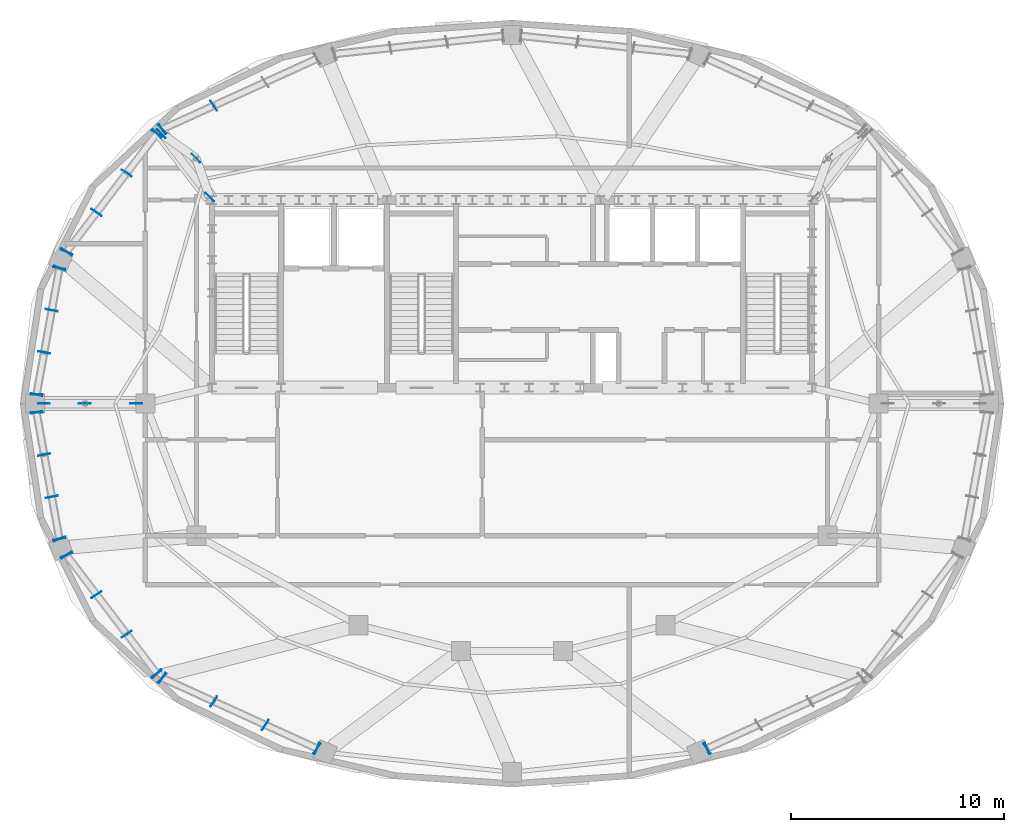
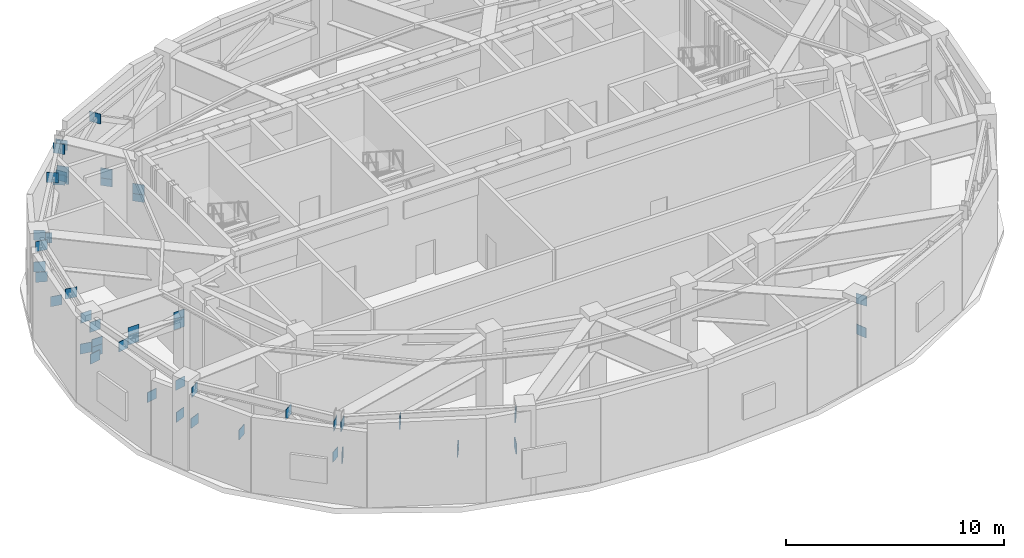
# One storey, part 7 of 15: 47 plates.
"""IFC4 building model written with IfcOpenShell, lengths in metres."""

from ifc_helpers import new_model, si_unit, direction, frame, origin, origin_2d, place, context, subcontext, project, spatial, rectangle, extrude, material, layer, layer_set, type_object, element, save


model = new_model("IFC4")

# Units and contexts
model_context = context("Model", 3, precision=1e-05, world=origin(), true_north=direction((0.0, 1.0)))
body_context = subcontext(model_context, "Body", "Model", "MODEL_VIEW")
ifc_project = project(units=[si_unit("LENGTHUNIT", "METRE"), si_unit("AREAUNIT", "SQUARE_METRE"), si_unit("VOLUMEUNIT", "CUBIC_METRE"), si_unit("PLANEANGLEUNIT", "RADIAN"), si_unit("MASSUNIT", "GRAM", prefix="KILO")], contexts=[model_context])

# Site, building, storey
site_placement = place(None, origin())
site = spatial("IfcSite", under=ifc_project, at=site_placement, CompositionType="ELEMENT")
building_placement = place(site_placement, origin())
building = spatial("IfcBuilding", under=site, at=building_placement, Name="Haldorwick Loom Tower", CompositionType="ELEMENT")
storey_placement = place(building_placement, frame((0.0, 0.0, 286.5)))
storey = spatial("IfcBuildingStorey", under=building, at=storey_placement, Name="L77", CompositionType="ELEMENT", Elevation=286.5)

# Plates
ifc_material = material(Name="Steel CSA G40.21 350W", Category="steel")
ifc_layer = layer(ifc_material, 0.028076171875, Name="Steel CSA G40.21 350W", Category="steel")
ifc_layer_set = layer_set([ifc_layer], Name="Steel CSA G40.21 350W")
plate_type = type_object("IfcPlateType", Name="STR-PLT-GUS28", PredefinedType="SHEET", material=ifc_layer_set)
for number, where, z_axis, x_axis, name in (
    (1, (22.013916015625, 39.974365234375, 3.973876953125), (0.0, 0.0, 1.0), (-0.55557023302, 0.831469612303, 0.0), "L77 Truss Node Gusset Plate PLT-L77-BGUS-05-1B"),
    (2, (19.59619140625, 38.873046875, 2.219970703125), (0.0, 0.0, 1.0), (-0.55557023302, 0.831469612303, 0.0), "L77 Truss Node Gusset Plate PLT-L77-BGUS-05-2B"),
    (3, (19.59619140625, 38.873046875, 3.973876953125), (0.0, 0.0, 1.0), (-0.707106781187, 0.707106781187, 0.0), "L77 Truss Node Gusset Plate PLT-L77-BGUS-05D"),
    (4, (19.336181640625, 38.66552734375, 2.219970703125), (0.0, 0.0, 1.0), (-0.831469612303, 0.55557023302, 0.0), "L77 Truss Node Gusset Plate PLT-L77-BGUS-06-0A"),
    (5, (17.92431640625, 36.814208984375, 3.973876953125), (0.0, 0.0, 1.0), (-0.831469612303, 0.55557023302, 0.0), "L77 Truss Node Gusset Plate PLT-L77-BGUS-06-0B"),
    (6, (16.5126953125, 34.962890625, 2.219970703125), (0.0, 0.0, 1.0), (-0.831469612303, 0.55557023302, 0.0), "L77 Truss Node Gusset Plate PLT-L77-BGUS-06-1B"),
    (7, (15.100830078125, 33.111572265625, 3.973876953125), (0.0, 0.0, 1.0), (-0.831469612303, 0.55557023302, 0.0), "L77 Truss Node Gusset Plate PLT-L77-BGUS-06-2B"),
    (8, (19.336181640625, 38.66552734375, 3.973876953125), (0.0, 0.0, 1.0), (-0.707106781187, 0.707106781187, 0.0), "L77 Truss Node Gusset Plate PLT-L77-BGUS-06B"),
    (9, (15.100830078125, 33.111572265625, 2.219970703125), (0.0, 0.0, 1.0), (-0.923879532511, 0.382683432365, 0.0), "L77 Truss Node Gusset Plate PLT-L77-BGUS-06C"),
    (10, (14.767578125, 32.355224609375, 3.973876953125), (0.0, 0.0, 1.0), (-0.980785280403, 0.195090322016, 0.0), "L77 Truss Node Gusset Plate PLT-L77-BGUS-07-0A"),
    (11, (14.409912109375, 30.376220703125, 2.219970703125), (0.0, 0.0, 1.0), (-0.980785280403, 0.195090322016, 0.0), "L77 Truss Node Gusset Plate PLT-L77-BGUS-07-0B"),
    (12, (14.052490234375, 28.397216796875, 3.973876953125), (0.0, 0.0, 1.0), (-0.980785280403, 0.195090322016, 0.0), "L77 Truss Node Gusset Plate PLT-L77-BGUS-07-1B"),
    (13, (13.69482421875, 26.418212890625, 2.219970703125), (0.0, 0.0, 1.0), (-0.980785280403, 0.195090322016, 0.0), "L77 Truss Node Gusset Plate PLT-L77-BGUS-07-2B"),
    (14, (14.767578125, 32.355224609375, 2.219970703125), (0.0, 0.0, 1.0), (-0.923879532511, 0.382683432365, 0.0), "L77 Truss Node Gusset Plate PLT-L77-BGUS-07A"),
    (15, (13.69482421875, 26.418212890625, 3.973876953125), (0.0, 0.0, 1.0), (-1.0, 0.0, 0.0), "L77 Truss Node Gusset Plate PLT-L77-BGUS-07D"),
    (16, (13.69482421875, 25.581787109375, 2.219970703125), (0.0, 0.0, 1.0), (-0.980785280403, -0.195090322016, 0.0), "L77 Truss Node Gusset Plate PLT-L77-BGUS-08-0A"),
    (17, (14.052490234375, 23.602783203125, 3.973876953125), (0.0, 0.0, 1.0), (-0.980785280403, -0.195090322016, 0.0), "L77 Truss Node Gusset Plate PLT-L77-BGUS-08-0B"),
    (18, (14.409912109375, 21.623779296875, 2.219970703125), (0.0, 0.0, 1.0), (-0.980785280403, -0.195090322016, 0.0), "L77 Truss Node Gusset Plate PLT-L77-BGUS-08-1B"),
    (19, (14.767578125, 19.644775390625, 3.973876953125), (0.0, 0.0, 1.0), (-0.980785280403, -0.195090322016, 0.0), "L77 Truss Node Gusset Plate PLT-L77-BGUS-08-2B"),
    (20, (13.69482421875, 25.581787109375, 3.973876953125), (0.0, 0.0, 1.0), (-1.0, 0.0, 0.0), "L77 Truss Node Gusset Plate PLT-L77-BGUS-08B"),
    (21, (14.767578125, 19.644775390625, 2.219970703125), (0.0, 0.0, 1.0), (-0.923879532511, -0.382683432365, 0.0), "L77 Truss Node Gusset Plate PLT-L77-BGUS-08C"),
    (22, (15.100830078125, 18.888427734375, 3.973876953125), (0.0, 0.0, 1.0), (-0.831469612303, -0.55557023302, 0.0), "L77 Truss Node Gusset Plate PLT-L77-BGUS-09-0A"),
    (23, (16.5126953125, 17.037109375, 2.219970703125), (0.0, 0.0, 1.0), (-0.831469612303, -0.55557023302, 0.0), "L77 Truss Node Gusset Plate PLT-L77-BGUS-09-0B"),
    (24, (17.92431640625, 15.185791015625, 3.973876953125), (0.0, 0.0, 1.0), (-0.831469612303, -0.55557023302, 0.0), "L77 Truss Node Gusset Plate PLT-L77-BGUS-09-1B"),
    (25, (19.336181640625, 13.33447265625, 2.219970703125), (0.0, 0.0, 1.0), (-0.831469612303, -0.55557023302, 0.0), "L77 Truss Node Gusset Plate PLT-L77-BGUS-09-2B"),
    (26, (15.100830078125, 18.888427734375, 2.219970703125), (0.0, 0.0, 1.0), (-0.923879532511, -0.382683432365, 0.0), "L77 Truss Node Gusset Plate PLT-L77-BGUS-09A"),
    (27, (19.336181640625, 13.33447265625, 3.973876953125), (0.0, 0.0, 1.0), (-0.707106781187, -0.707106781187, 0.0), "L77 Truss Node Gusset Plate PLT-L77-BGUS-09D"),
    (28, (19.59619140625, 13.126953125, 2.219970703125), (0.0, 0.0, 1.0), (-0.55557023302, -0.831469612303, 0.0), "L77 Truss Node Gusset Plate PLT-L77-BGUS-10-0A"),
    (29, (22.013916015625, 12.025634765625, 3.973876953125), (0.0, 0.0, 1.0), (-0.55557023302, -0.831469612303, 0.0), "L77 Truss Node Gusset Plate PLT-L77-BGUS-10-0B"),
    (30, (24.431884765625, 10.924560546875, 2.219970703125), (0.0, 0.0, 1.0), (-0.55557023302, -0.831469612303, 0.0), "L77 Truss Node Gusset Plate PLT-L77-BGUS-10-1B"),
    (31, (26.849609375, 9.823486328125, 3.973876953125), (0.0, 0.0, 1.0), (-0.55557023302, -0.831469612303, 0.0), "L77 Truss Node Gusset Plate PLT-L77-BGUS-10-2B"),
    (32, (19.59619140625, 13.126953125, 3.973876953125), (0.0, 0.0, 1.0), (-0.707106781187, -0.707106781187, 0.0), "L77 Truss Node Gusset Plate PLT-L77-BGUS-10B"),
    (33, (26.849609375, 9.823486328125, 2.219970703125), (0.0, 0.0, 1.0), (-0.382683432365, -0.923879532511, 0.0), "L77 Truss Node Gusset Plate PLT-L77-BGUS-10C"),
    (34, (45.150390625, 9.823486328125, 3.973876953125), (0.0, 0.0, 1.0), (0.55557023302, -0.831469612303, 0.0), "L77 Truss Node Gusset Plate PLT-L77-BGUS-13-0A"),
    (35, (45.150390625, 9.823486328125, 2.219970703125), (0.0, 0.0, 1.0), (0.382683432365, -0.923879532511, 0.0), "L77 Truss Node Gusset Plate PLT-L77-BGUS-13A"),
    (36, (21.82568359375, 35.686279296875, 2.219970703125), (0.0, 0.0, 1.0), (-0.707106781187, 0.707106781187, 0.0), "L77 Truss Node Gusset Plate PLT-L77-OT-NW-CB0"),
    (37, (21.82568359375, 35.686279296875, 2.639892578125), (0.0, 0.0, 1.0), (-0.707106781187, 0.707106781187, 0.0), "L77 Truss Node Gusset Plate PLT-L77-OT-NW-CT0"),
    (38, (21.174560546875, 37.501220703125, 2.219970703125), (0.0, 0.0, 1.0), (-0.707106781187, 0.707106781187, 0.0), "L77 Truss Node Gusset Plate PLT-L77-OT-NW-MB0"),
    (39, (21.174560546875, 37.501220703125, 2.639892578125), (0.0, 0.0, 1.0), (-0.707106781187, 0.707106781187, 0.0), "L77 Truss Node Gusset Plate PLT-L77-OT-NW-MT0"),
    (40, (19.54443359375, 38.665771484375, 2.219970703125), (0.0, 0.0, 1.0), (-0.707106781187, 0.707106781187, 0.0), "L77 Truss Node Gusset Plate PLT-L77-OT-NW-PB0"),
    (41, (19.54443359375, 38.665771484375, 2.639892578125), (0.0, 0.0, 1.0), (-0.707106781187, 0.707106781187, 0.0), "L77 Truss Node Gusset Plate PLT-L77-OT-NW-PT0"),
    (42, (18.375, 26.0, 2.219970703125), (0.0, 0.0, 1.0), (-1.0, 0.0, 0.0), "L77 Truss Node Gusset Plate PLT-L77-OT-W-CB0"),
    (43, (18.375, 26.0, 2.639892578125), (0.0, 0.0, 1.0), (-1.0, 0.0, 0.0), "L77 Truss Node Gusset Plate PLT-L77-OT-W-CT0"),
    (44, (15.96630859375, 26.0, 2.219970703125), (0.0, 0.0, 1.0), (-1.0, 0.0, 0.0), "L77 Truss Node Gusset Plate PLT-L77-OT-W-MB0"),
    (45, (15.96630859375, 26.0, 2.639892578125), (0.0, 0.0, 1.0), (-1.0, 0.0, 0.0), "L77 Truss Node Gusset Plate PLT-L77-OT-W-MT0"),
    (46, (14.044189453125, 26.0, 2.219970703125), (0.0, 0.0, 1.0), (-1.0, 0.0, 0.0), "L77 Truss Node Gusset Plate PLT-L77-OT-W-PB0"),
    (47, (14.044189453125, 26.0, 2.639892578125), (0.0, 0.0, 1.0), (-1.0, 0.0, 0.0), "L77 Truss Node Gusset Plate PLT-L77-OT-W-PT0"),
):
    element("IfcPlate", number, at=place(storey_placement, frame(where, z_axis=z_axis, x_axis=x_axis)), inside=storey, type_object=plate_type, Name=name, PredefinedType="SHEET", context=body_context, shape_type="SweptSolid", body=[
        extrude(rectangle(XDim=0.56005859375, YDim=0.028076171875, at=origin_2d()), origin(), (0.0, 0.0, 1.0), 0.56005859375),
    ])

save(model, "model.ifc")
